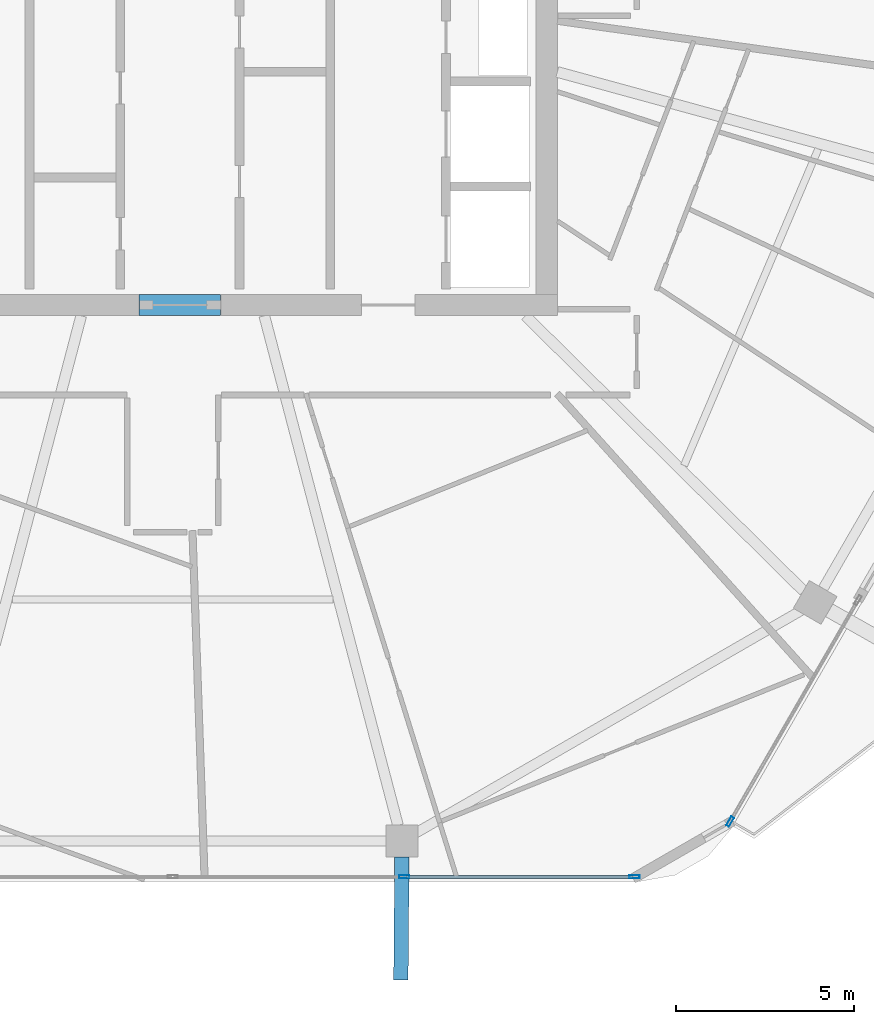
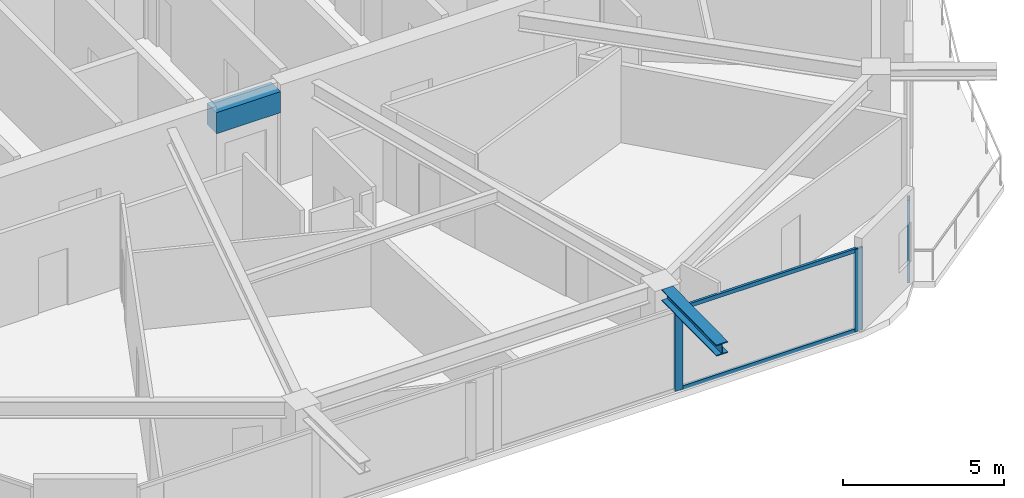
# One storey, part 7 of 25: 5 members, 2 beams, 2 elements without a shape of their own.
"""IFC4 building model written with IfcOpenShell, lengths in metres."""

from ifc_helpers import new_model, si_unit, direction, frame, origin, origin_2d, place, context, subcontext, project, spatial, rectangle, hollow_rectangle, i_section, extrude, material, material_profile, profile_set, type_object, element, aggregate, save


model = new_model("IFC4")

# Units and contexts
model_context = context("Model", 3, precision=1e-05, world=origin(), true_north=direction((0.0, 1.0)))
body_context = subcontext(model_context, "Body", "Model", "MODEL_VIEW")
ifc_project = project(units=[si_unit("LENGTHUNIT", "METRE"), si_unit("AREAUNIT", "SQUARE_METRE"), si_unit("VOLUMEUNIT", "CUBIC_METRE"), si_unit("PLANEANGLEUNIT", "RADIAN"), si_unit("MASSUNIT", "GRAM", prefix="KILO")], contexts=[model_context])

# Site, building, storey
site_placement = place(None, origin())
site = spatial("IfcSite", under=ifc_project, at=site_placement, CompositionType="ELEMENT")
building_placement = place(site_placement, origin())
building = spatial("IfcBuilding", under=site, at=building_placement, Name="Zuhravey Tower", CompositionType="ELEMENT")
storey_placement = place(building_placement, frame((0.0, 0.0, 235.0)))
storey = spatial("IfcBuildingStorey", under=building, at=storey_placement, Name="L59", CompositionType="ELEMENT", Elevation=235.0)

# Beam
ifc_material_1 = material(Name="Concrete C50/60", Category="concrete")
ifc_material_profile_1 = material_profile(ifc_material_1, rectangle(XDim=0.60009765625, YDim=0.800048828125, at=origin_2d()), Name="RC-600x800")
ifc_profile_set_1 = profile_set([ifc_material_profile_1], Name="Concrete C50/60")
beam_type_1 = type_object("IfcBeamType", Name="Core Coupling Beam RC600x800", PredefinedType="LINTEL", material=ifc_profile_set_1)
beam_1_placement = place(storey_placement, frame((35.052001953125, 22.5, 3.14990234375), z_axis=(1.0, 0.0, 0.0), x_axis=(0.0, 1.0, 0.0)))
element("IfcBeam", 1, at=beam_1_placement, inside=storey, type_object=beam_type_1, Name="L59 CB2 BM-L59-CB-S", PredefinedType="LINTEL", context=body_context, shape_type="SweptSolid", body=[
    extrude(rectangle(XDim=0.60009765625, YDim=0.800048828125, at=origin_2d()), origin(), (0.0, 0.0, 1.0), 2.2958984375),
])

# Curtain wall, member
ifc_material_2 = material(Name="Thermally broken anodised aluminium", Category="aluminium")
curtain_wall_type = type_object("IfcCurtainWallType", Name="Zone 3-4 High-Rise Curtain Wall CW4", PredefinedType="NOTDEFINED", material=ifc_material_2)
curtain_wall_1_placement = place(storey_placement, origin())
curtain_wall_1 = element("IfcCurtainWall", 2, at=curtain_wall_1_placement, inside=storey, type_object=curtain_wall_type, Name="L59 CW4 CW-L59-F6-2", PredefinedType="NOTDEFINED")
ifc_material_3 = material(Name="Anodised aluminium", Category="aluminium")
ifc_material_profile_2 = material_profile(ifc_material_3, hollow_rectangle(XDim=0.090087890625, YDim=0.284912109375, WallThickness=0.0048828125, at=origin_2d()), Name="ALU-RHS-90x285x5")
ifc_profile_set_2 = profile_set([ifc_material_profile_2], Name="Anodised aluminium")
member_type_1 = type_object("IfcMemberType", Name="Curtain-Wall Mullion 90x180", PredefinedType="MULLION", material=ifc_profile_set_2)
member_1_placement = place(storey_placement, frame((51.65478515625, 7.98779296875, 0.0), z_axis=(0.0, 0.0, 1.0), x_axis=(0.866025242656, -0.500000279083, 0.0)))
member_1 = element("IfcMember", 3, at=member_1_placement, type_object=member_type_1, Name="CW4 mullion 2", PredefinedType="MULLION", context=body_context, shape_type="SweptSolid", body=[
    extrude(hollow_rectangle(XDim=0.090087890625, YDim=0.284912109375, WallThickness=0.0048828125, at=origin_2d()), origin(), (0.0, 0.0, 1.0), 3.1220703125),
])
aggregate(curtain_wall_1, [member_1])

# Curtain wall, members
curtain_wall_2_placement = place(storey_placement, origin())
curtain_wall_2 = element("IfcCurtainWall", 4, at=curtain_wall_2_placement, inside=storey, type_object=curtain_wall_type, Name="L59 CW4 CW-L59-F5-1", PredefinedType="NOTDEFINED")
member_2_placement = place(storey_placement, frame((48.9677734375, 6.436279296875, 0.0), z_axis=(0.0, 0.0, 1.0), x_axis=(0.0, -1.0, 0.0)))
member_2 = element("IfcMember", 5, at=member_2_placement, type_object=member_type_1, Name="CW4 mullion 1", PredefinedType="MULLION", context=body_context, shape_type="SweptSolid", body=[
    extrude(hollow_rectangle(XDim=0.090087890625, YDim=0.284912109375, WallThickness=0.0048828125, at=origin_2d()), origin(), (0.0, 0.0, 1.0), 3.1220703125),
])
member_3_placement = place(storey_placement, frame((42.50634765625, 6.436279296875, 0.0), z_axis=(0.0, 0.0, 1.0), x_axis=(0.0, -1.0, 0.0)))
member_3 = element("IfcMember", 6, at=member_3_placement, type_object=member_type_1, Name="CW4 mullion 2", PredefinedType="MULLION", context=body_context, shape_type="SweptSolid", body=[
    extrude(hollow_rectangle(XDim=0.090087890625, YDim=0.284912109375, WallThickness=0.0048828125, at=origin_2d()), origin(), (0.0, 0.0, 1.0), 3.1220703125),
])
ifc_material_profile_3 = material_profile(ifc_material_3, hollow_rectangle(XDim=0.090087890625, YDim=0.14990234375, WallThickness=0.0048828125, at=origin_2d()), Name="ALU-RHS-90x150x5")
ifc_profile_set_3 = profile_set([ifc_material_profile_3], Name="Anodised aluminium")
member_type_2 = type_object("IfcMemberType", Name="Curtain-Wall Transom 90x150", PredefinedType="USERDEFINED", material=ifc_profile_set_3)
member_4_placement = place(storey_placement, frame((48.922607421875, 6.436279296875, 0.044921875), z_axis=(-1.0, 0.0, 0.0), x_axis=(0.0, -1.0, 0.0)))
member_4 = element("IfcMember", 7, at=member_4_placement, type_object=member_type_2, Name="CW4 transom 1.1", ObjectType="TRANSOM", PredefinedType="USERDEFINED", context=body_context, shape_type="SweptSolid", body=[
    extrude(hollow_rectangle(XDim=0.090087890625, YDim=0.14990234375, WallThickness=0.0048828125, at=origin_2d()), origin(), (0.0, 0.0, 1.0), 6.371337890625),
])
member_5_placement = place(storey_placement, frame((48.922607421875, 6.436279296875, 3.076904296875), z_axis=(-1.0, 0.0, 0.0), x_axis=(0.0, -1.0, 0.0)))
member_5 = element("IfcMember", 8, at=member_5_placement, type_object=member_type_2, Name="CW4 transom 1.2", ObjectType="TRANSOM", PredefinedType="USERDEFINED", context=body_context, shape_type="SweptSolid", body=[
    extrude(hollow_rectangle(XDim=0.090087890625, YDim=0.14990234375, WallThickness=0.0048828125, at=origin_2d()), origin(), (0.0, 0.0, 1.0), 6.371337890625),
])
aggregate(curtain_wall_2, [member_2, member_3, member_4, member_5])

# Beam
ifc_material_4 = material(Name="Steel SM460", Category="steel")
ifc_material_profile_4 = material_profile(ifc_material_4, i_section(OverallWidth=0.406982421875, OverallDepth=0.427978515625, WebThickness=0.02001953125, FlangeThickness=0.034912109375, at=origin_2d()), Name="H-428x407x20x35")
ifc_profile_set_4 = profile_set([ifc_material_profile_4], Name="Steel SM460")
beam_type_2 = type_object("IfcBeamType", Name="Exoskeleton Node Tie Beam H428x407", PredefinedType="BEAM", material=ifc_profile_set_4)
beam_2_placement = place(storey_placement, frame((42.43701171875, 6.992431640625, 3.3359375), z_axis=(-0.008489258993, -0.999963965592, 0.0), x_axis=(0.999963965592, -0.008489258993, 0.0)))
element("IfcBeam", 9, at=beam_2_placement, inside=storey, type_object=beam_type_2, Name="L59 Exoskeleton Node Tie NT1-10", PredefinedType="BEAM", context=body_context, shape_type="SweptSolid", body=[
    extrude(i_section(OverallWidth=0.406982421875, OverallDepth=0.427978515625, WebThickness=0.02001953125, FlangeThickness=0.034912109375, at=origin_2d()), origin(), (0.0, 0.0, 1.0), 3.451171875),
])

save(model, "model.ifc")
